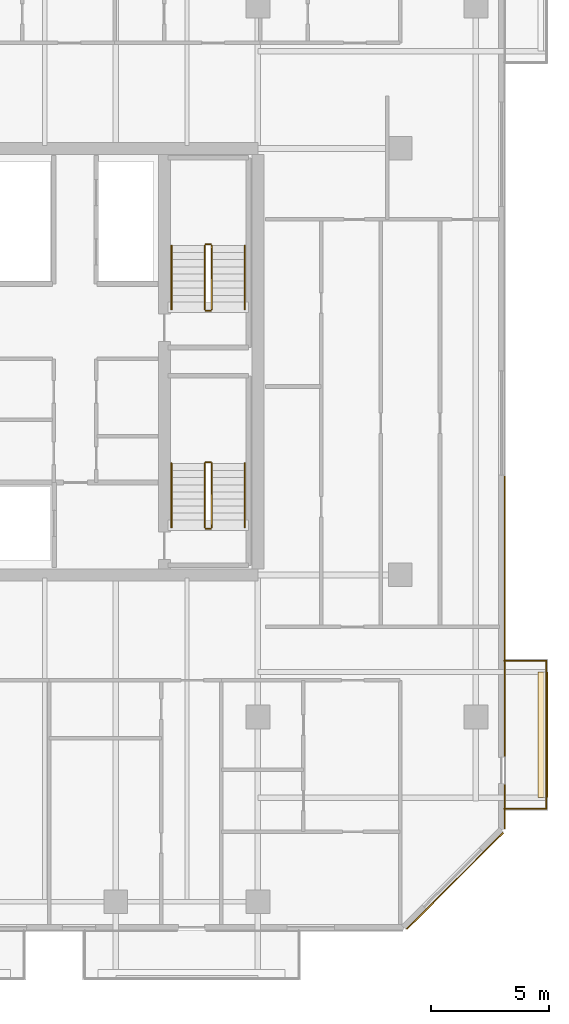
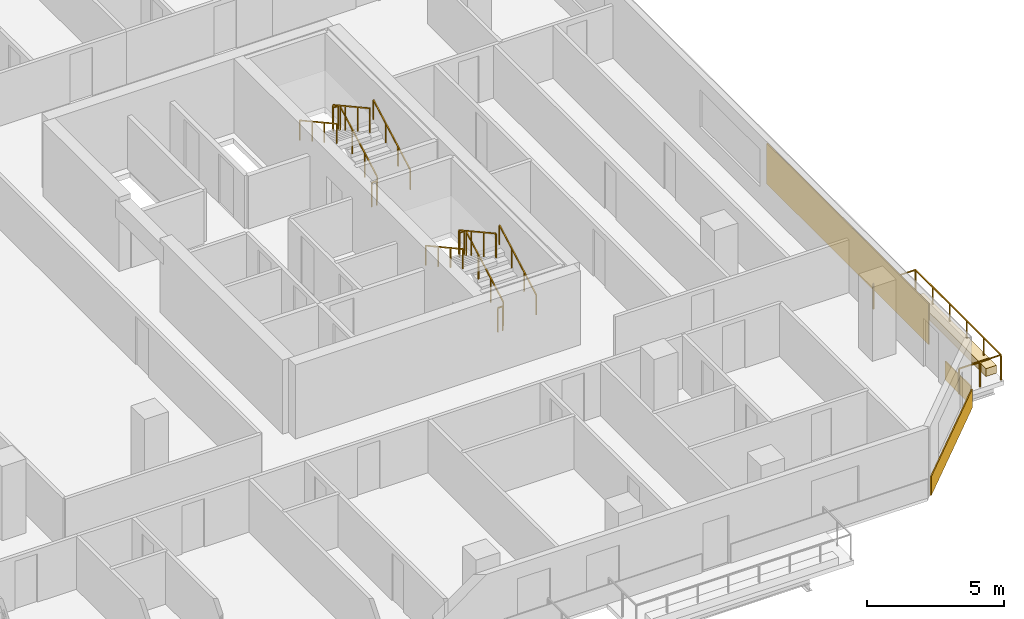
# One storey, part 22 of 23: 13 railings, 4 coverings.
"""IFC4 building model written with IfcOpenShell, lengths in metres."""

from ifc_helpers import new_model, si_unit, direction, frame, origin, origin_2d, place, context, subcontext, project, spatial, polyline, rectangle, outline, extrude, material, layer, layer_set, type_object, element, save


model = new_model("IFC4")

# Units and contexts
model_context = context("Model", 3, precision=1e-05, world=origin(), true_north=direction((0.0, 1.0)))
body_context = subcontext(model_context, "Body", "Model", "MODEL_VIEW")
ifc_project = project(units=[si_unit("LENGTHUNIT", "METRE"), si_unit("AREAUNIT", "SQUARE_METRE"), si_unit("VOLUMEUNIT", "CUBIC_METRE"), si_unit("PLANEANGLEUNIT", "RADIAN"), si_unit("MASSUNIT", "GRAM", prefix="KILO")], contexts=[model_context])

# Site, building, storey
site_placement = place(None, origin())
site = spatial("IfcSite", under=ifc_project, at=site_placement, CompositionType="ELEMENT")
building_placement = place(site_placement, origin())
building = spatial("IfcBuilding", under=site, at=building_placement, Name="Tanjung Sevakor Pilgrim Tower", CompositionType="ELEMENT")
storey_placement = place(building_placement, frame((0.0, 0.0, 101.969970703125)))
storey = spatial("IfcBuildingStorey", under=building, at=storey_placement, Name="L28", CompositionType="ELEMENT", Elevation=101.969970703125)

# Coverings
ifc_material_1 = material(Name="Reconstructed Limestone Cladding", Category="masonry")
ifc_layer_1 = layer(ifc_material_1, 0.044921875)
ifc_layer_set_1 = layer_set([ifc_layer_1], Name="COV-CLAD-LIMESTONE")
covering_type_1 = type_object("IfcCoveringType", Name="COV-CLAD-LIMESTONE", PredefinedType="CLADDING", material=ifc_layer_set_1)
covering_1_placement = place(storey_placement, frame((98.31591796875, 11.68408203125, 0.009765625), z_axis=(0.0, 0.0, 1.0), x_axis=(0.707106781187, 0.707106781187, 0.0)))
element("IfcCovering", 1, at=covering_1_placement, inside=storey, type_object=covering_type_1, Name="L28 Warm Limestone Sill Spandrel EW-CHM-L28-MAIN-5-1", PredefinedType="CLADDING", context=body_context, shape_type="SweptSolid", body=[
    extrude(rectangle(XDim=5.756103515625, YDim=0.044921875, at=origin_2d()), origin(), (0.0, 0.0, 1.0), 0.840087890625),
])
covering_2_placement = place(storey_placement, frame((100.422607421875, 14.81591796875, 0.009765625), z_axis=(0.0, 0.0, 1.0), x_axis=(0.0, 1.0, 0.0)))
element("IfcCovering", 2, at=covering_2_placement, inside=storey, type_object=covering_type_1, Name="L28 Warm Limestone Sill Spandrel EW-L28-MAIN-7-1", PredefinedType="CLADDING", context=body_context, shape_type="SweptSolid", body=[
    extrude(rectangle(XDim=1.84814453125, YDim=0.044921875, at=origin_2d()), origin(), (0.0, 0.0, 1.0), 0.840087890625),
])
covering_3_placement = place(storey_placement, frame((100.422607421875, 22.85498046875, 0.85009765625), z_axis=(0.0, 0.0, 1.0), x_axis=(0.0, 1.0, 0.0)))
element("IfcCovering", 3, at=covering_3_placement, inside=storey, type_object=covering_type_1, Name="L28 Warm Limestone Pier Panel EW-L28-MAIN-7-1", PredefinedType="CLADDING", context=body_context, shape_type="SweptSolid", body=[
    extrude(rectangle(XDim=11.81005859375, YDim=0.044921875, at=origin_2d()), origin(), (0.0, 0.0, 1.0), 1.81005859375),
])
ifc_material_2 = material(Name="Vegetated Modular Planter Assembly", Category="organic")
ifc_layer_2 = layer(ifc_material_2, 0.35009765625)
ifc_layer_set_2 = layer_set([ifc_layer_2], Name="COV-GRN-TROUGH")
covering_type_2 = type_object("IfcCoveringType", Name="COV-GRN-TROUGH", PredefinedType="CLADDING", material=ifc_layer_set_2)
covering_4_placement = place(storey_placement, origin())
element("IfcCovering", 4, at=covering_4_placement, inside=storey, type_object=covering_type_2, Name="L28 Planted Landscape Hedge Trough BGRN-L28-MAIN-E1", PredefinedType="CLADDING", context=body_context, shape_type="SweptSolid", body=[
    extrude(outline(polyline([(102.25, 15.199951171875), (102.25, 20.5), (101.81005859375, 20.5), (101.81005859375, 15.199951171875), (102.25, 15.199951171875)])), origin(), (0.0, 0.0, 1.0), 0.35009765625),
])

# Railings
ifc_material_3 = material(Name="Laminated Glass and Aluminium", Category="aluminium")
railing_type_1 = type_object("IfcRailingType", Name="RL-BAL-BALUST", PredefinedType="BALUSTRADE", material=ifc_material_3)
railing_1_placement = place(storey_placement, frame((100.39990234375, 14.72998046875, 0.0)))
element("IfcRailing", 5, at=railing_1_placement, inside=storey, type_object=railing_type_1, Name="L28 Loggia Balustrade MAIN-E1", PredefinedType="BALUSTRADE", context=body_context, shape_type="SweptSolid", body=[
    extrude(rectangle(XDim=0.0479, YDim=0.0479), frame((0.0, 0.0, 1.1259765625), z_axis=(1.0, 0.0, 0.0), x_axis=(0.0, 1.0, 0.0)), (0.0, 0.0, 1.0), 1.77001953125),
    extrude(rectangle(XDim=0.0479, YDim=0.0479), frame((1.77001953125, 0.0, 1.1259765625), z_axis=(0.0, 1.0, 0.0), x_axis=(-1.0, 0.0, 0.0)), (0.0, 0.0, 1.0), 6.239990234375),
    extrude(rectangle(XDim=0.0479, YDim=0.0479), frame((1.77001953125, 6.239990234375, 1.1259765625), z_axis=(-1.0, 0.0, 0.0), x_axis=(0.0, -1.0, 0.0)), (0.0, 0.0, 1.0), 1.77001953125),
    extrude(rectangle(XDim=0.042, YDim=0.042), origin(), (0.0, 0.0, 1.0), 1.101806640625),
    extrude(rectangle(XDim=0.042, YDim=0.042), frame((0.885009765625, 0.0, 0.0)), (0.0, 0.0, 1.0), 1.101806640625),
    extrude(rectangle(XDim=0.042, YDim=0.042), frame((1.77001953125, 0.0, 0.0)), (0.0, 0.0, 1.0), 1.101806640625),
    extrude(rectangle(XDim=0.042, YDim=0.042), frame((1.77001953125, 1.248046875, 0.0)), (0.0, 0.0, 1.0), 1.101806640625),
    extrude(rectangle(XDim=0.042, YDim=0.042), frame((1.77001953125, 2.49609375, 0.0)), (0.0, 0.0, 1.0), 1.101806640625),
    extrude(rectangle(XDim=0.042, YDim=0.042), frame((1.77001953125, 3.743896484375, 0.0)), (0.0, 0.0, 1.0), 1.101806640625),
    extrude(rectangle(XDim=0.042, YDim=0.042), frame((1.77001953125, 4.991943359375, 0.0)), (0.0, 0.0, 1.0), 1.101806640625),
    extrude(rectangle(XDim=0.042, YDim=0.042), frame((1.77001953125, 6.239990234375, 0.0)), (0.0, 0.0, 1.0), 1.101806640625),
    extrude(rectangle(XDim=0.042, YDim=0.042), frame((0.885009765625, 6.239990234375, 0.0)), (0.0, 0.0, 1.0), 1.101806640625),
    extrude(rectangle(XDim=0.042, YDim=0.042), frame((0.0, 6.239990234375, 0.0)), (0.0, 0.0, 1.0), 1.101806640625),
])
ifc_material_4 = material(Name="Steel S355J2", Category="steel")
railing_type_2 = type_object("IfcRailingType", Name="RL-STAIR-GUARD", PredefinedType="GUARDRAIL", material=ifc_material_4)
railing_2_placement = place(storey_placement, frame((88.050048828125, 26.60009765625, 0.1650390625)))
element("IfcRailing", 6, at=railing_2_placement, inside=storey, type_object=railing_type_2, Name="L28 TS-E1 stair guard 1", PredefinedType="GUARDRAIL", context=body_context, shape_type="SweptSolid", body=[
    extrude(rectangle(XDim=0.0479, YDim=0.0479), frame((0.0, 0.0, 1.076171875), z_axis=(0.0, 0.876197507361, 0.481952205197), x_axis=(-1.0, 0.0, 0.0)), (0.0, 0.0, 1.0), 3.08154296875),
    extrude(rectangle(XDim=0.042, YDim=0.042), origin(), (0.0, 0.0, 1.0), 1.052001953125),
    extrude(rectangle(XDim=0.042, YDim=0.042), frame((0.0, 0.89990234375, 0.4951171875)), (0.0, 0.0, 1.0), 1.052001953125),
    extrude(rectangle(XDim=0.042, YDim=0.042), frame((0.0, 1.800048828125, 0.989990234375)), (0.0, 0.0, 1.0), 1.052001953125),
    extrude(rectangle(XDim=0.042, YDim=0.042), frame((0.0, 2.699951171875, 1.485107421875)), (0.0, 0.0, 1.0), 1.052001953125),
])
railing_3_placement = place(storey_placement, frame((88.0, 29.35009765625, 1.650146484375)))
element("IfcRailing", 7, at=railing_3_placement, inside=storey, type_object=railing_type_2, Name="L28 TS-E1 stair guard 2", PredefinedType="GUARDRAIL", context=body_context, shape_type="SweptSolid", body=[
    extrude(rectangle(XDim=0.0479, YDim=0.0479), frame((0.0, 0.0, 1.076171875), z_axis=(-1.0, 0.0, 0.0), x_axis=(0.0, -1.0, 0.0)), (0.0, 0.0, 1.0), 0.199951171875),
    extrude(rectangle(XDim=0.042, YDim=0.042), origin(), (0.0, 0.0, 1.0), 1.052001953125),
    extrude(rectangle(XDim=0.042, YDim=0.042), frame((-0.199951171875, 0.0, 0.0)), (0.0, 0.0, 1.0), 1.052001953125),
])
railing_4_placement = place(storey_placement, frame((87.75, 29.300048828125, 1.81494140625)))
element("IfcRailing", 8, at=railing_4_placement, inside=storey, type_object=railing_type_2, Name="L28 TS-E1 stair guard 3", PredefinedType="GUARDRAIL", context=body_context, shape_type="SweptSolid", body=[
    extrude(rectangle(XDim=0.0479, YDim=0.0479), frame((0.0, 0.0, 1.076171875), z_axis=(0.0, -0.876197507361, 0.481952205197), x_axis=(1.0, 0.0, 0.0)), (0.0, 0.0, 1.0), 3.08154296875),
    extrude(rectangle(XDim=0.042, YDim=0.042), origin(), (0.0, 0.0, 1.0), 1.052001953125),
    extrude(rectangle(XDim=0.042, YDim=0.042), frame((0.0, -0.89990234375, 0.4951171875)), (0.0, 0.0, 1.0), 1.052001953125),
    extrude(rectangle(XDim=0.042, YDim=0.042), frame((0.0, -1.800048828125, 0.989990234375)), (0.0, 0.0, 1.0), 1.052001953125),
    extrude(rectangle(XDim=0.042, YDim=0.042), frame((0.0, -2.699951171875, 1.485107421875)), (0.0, 0.0, 1.0), 1.052001953125),
])
railing_5_placement = place(storey_placement, frame((88.0, 26.550048828125, 0.0)))
element("IfcRailing", 9, at=railing_5_placement, inside=storey, type_object=railing_type_2, Name="L28 TS-E1 stair guard 4", PredefinedType="GUARDRAIL", context=body_context, shape_type="SweptSolid", body=[
    extrude(rectangle(XDim=0.0479, YDim=0.0479), frame((0.0, 0.0, 1.076171875), z_axis=(-1.0, 0.0, 0.0), x_axis=(0.0, -1.0, 0.0)), (0.0, 0.0, 1.0), 0.199951171875),
    extrude(rectangle(XDim=0.042, YDim=0.042), origin(), (0.0, 0.0, 1.0), 1.052001953125),
    extrude(rectangle(XDim=0.042, YDim=0.042), frame((-0.199951171875, 0.0, 0.0)), (0.0, 0.0, 1.0), 1.052001953125),
])
railing_6_placement = place(storey_placement, frame((88.050048828125, 35.800048828125, 0.1650390625)))
element("IfcRailing", 10, at=railing_6_placement, inside=storey, type_object=railing_type_2, Name="L28 TS-E2 stair guard 1", PredefinedType="GUARDRAIL", context=body_context, shape_type="SweptSolid", body=[
    extrude(rectangle(XDim=0.0479, YDim=0.0479), frame((0.0, 0.0, 1.076171875), z_axis=(0.0, 0.876197507361, 0.481952205197), x_axis=(-1.0, 0.0, 0.0)), (0.0, 0.0, 1.0), 3.08154296875),
    extrude(rectangle(XDim=0.042, YDim=0.042), origin(), (0.0, 0.0, 1.0), 1.052001953125),
    extrude(rectangle(XDim=0.042, YDim=0.042), frame((0.0, 0.89990234375, 0.4951171875)), (0.0, 0.0, 1.0), 1.052001953125),
    extrude(rectangle(XDim=0.042, YDim=0.042), frame((0.0, 1.800048828125, 0.989990234375)), (0.0, 0.0, 1.0), 1.052001953125),
    extrude(rectangle(XDim=0.042, YDim=0.042), frame((0.0, 2.699951171875, 1.485107421875)), (0.0, 0.0, 1.0), 1.052001953125),
])
railing_7_placement = place(storey_placement, frame((88.0, 38.550048828125, 1.650146484375)))
element("IfcRailing", 11, at=railing_7_placement, inside=storey, type_object=railing_type_2, Name="L28 TS-E2 stair guard 2", PredefinedType="GUARDRAIL", context=body_context, shape_type="SweptSolid", body=[
    extrude(rectangle(XDim=0.0479, YDim=0.0479), frame((0.0, 0.0, 1.076171875), z_axis=(-1.0, 0.0, 0.0), x_axis=(0.0, -1.0, 0.0)), (0.0, 0.0, 1.0), 0.199951171875),
    extrude(rectangle(XDim=0.042, YDim=0.042), origin(), (0.0, 0.0, 1.0), 1.052001953125),
    extrude(rectangle(XDim=0.042, YDim=0.042), frame((-0.199951171875, 0.0, 0.0)), (0.0, 0.0, 1.0), 1.052001953125),
])
railing_8_placement = place(storey_placement, frame((87.75, 38.5, 1.81494140625)))
element("IfcRailing", 12, at=railing_8_placement, inside=storey, type_object=railing_type_2, Name="L28 TS-E2 stair guard 3", PredefinedType="GUARDRAIL", context=body_context, shape_type="SweptSolid", body=[
    extrude(rectangle(XDim=0.0479, YDim=0.0479), frame((0.0, 0.0, 1.076171875), z_axis=(0.0, -0.876197507361, 0.481952205197), x_axis=(1.0, 0.0, 0.0)), (0.0, 0.0, 1.0), 3.08154296875),
    extrude(rectangle(XDim=0.042, YDim=0.042), origin(), (0.0, 0.0, 1.0), 1.052001953125),
    extrude(rectangle(XDim=0.042, YDim=0.042), frame((0.0, -0.89990234375, 0.4951171875)), (0.0, 0.0, 1.0), 1.052001953125),
    extrude(rectangle(XDim=0.042, YDim=0.042), frame((0.0, -1.800048828125, 0.989990234375)), (0.0, 0.0, 1.0), 1.052001953125),
    extrude(rectangle(XDim=0.042, YDim=0.042), frame((0.0, -2.699951171875, 1.485107421875)), (0.0, 0.0, 1.0), 1.052001953125),
])
railing_9_placement = place(storey_placement, frame((88.0, 35.75, 0.0)))
element("IfcRailing", 13, at=railing_9_placement, inside=storey, type_object=railing_type_2, Name="L28 TS-E2 stair guard 4", PredefinedType="GUARDRAIL", context=body_context, shape_type="SweptSolid", body=[
    extrude(rectangle(XDim=0.0479, YDim=0.0479), frame((0.0, 0.0, 1.076171875), z_axis=(-1.0, 0.0, 0.0), x_axis=(0.0, -1.0, 0.0)), (0.0, 0.0, 1.0), 0.199951171875),
    extrude(rectangle(XDim=0.042, YDim=0.042), origin(), (0.0, 0.0, 1.0), 1.052001953125),
    extrude(rectangle(XDim=0.042, YDim=0.042), frame((-0.199951171875, 0.0, 0.0)), (0.0, 0.0, 1.0), 1.052001953125),
])
ifc_material_5 = material(Name="Steel S355J2", Category="steel")
railing_type_3 = type_object("IfcRailingType", Name="RL-STAIR-HAND", PredefinedType="HANDRAIL", material=ifc_material_5)
railing_10_placement = place(storey_placement, frame((89.449951171875, 26.60009765625, 0.1650390625)))
element("IfcRailing", 14, at=railing_10_placement, inside=storey, type_object=railing_type_3, Name="L28 TS-E1 stair handrail 1", PredefinedType="HANDRAIL", context=body_context, shape_type="SweptSolid", body=[
    extrude(rectangle(XDim=0.0479, YDim=0.0479), frame((0.0, 0.0, 0.8759765625), z_axis=(0.0, 0.876197507361, 0.481952205197), x_axis=(-1.0, 0.0, 0.0)), (0.0, 0.0, 1.0), 3.08154296875),
    extrude(rectangle(XDim=0.042, YDim=0.042), origin(), (0.0, 0.0, 1.0), 0.851806640625),
    extrude(rectangle(XDim=0.042, YDim=0.042), frame((0.0, 0.89990234375, 0.4951171875)), (0.0, 0.0, 1.0), 0.851806640625),
    extrude(rectangle(XDim=0.042, YDim=0.042), frame((0.0, 1.800048828125, 0.989990234375)), (0.0, 0.0, 1.0), 0.851806640625),
    extrude(rectangle(XDim=0.042, YDim=0.042), frame((0.0, 2.699951171875, 1.485107421875)), (0.0, 0.0, 1.0), 0.851806640625),
])
railing_11_placement = place(storey_placement, frame((86.35009765625, 29.300048828125, 1.81494140625)))
element("IfcRailing", 15, at=railing_11_placement, inside=storey, type_object=railing_type_3, Name="L28 TS-E1 stair handrail 2", PredefinedType="HANDRAIL", context=body_context, shape_type="SweptSolid", body=[
    extrude(rectangle(XDim=0.0479, YDim=0.0479), frame((0.0, 0.0, 0.8759765625), z_axis=(0.0, -0.876197507361, 0.481952205197), x_axis=(1.0, 0.0, 0.0)), (0.0, 0.0, 1.0), 3.08154296875),
    extrude(rectangle(XDim=0.042, YDim=0.042), origin(), (0.0, 0.0, 1.0), 0.851806640625),
    extrude(rectangle(XDim=0.042, YDim=0.042), frame((0.0, -0.89990234375, 0.4951171875)), (0.0, 0.0, 1.0), 0.851806640625),
    extrude(rectangle(XDim=0.042, YDim=0.042), frame((0.0, -1.800048828125, 0.989990234375)), (0.0, 0.0, 1.0), 0.851806640625),
    extrude(rectangle(XDim=0.042, YDim=0.042), frame((0.0, -2.699951171875, 1.485107421875)), (0.0, 0.0, 1.0), 0.851806640625),
])
railing_12_placement = place(storey_placement, frame((89.449951171875, 35.800048828125, 0.1650390625)))
element("IfcRailing", 16, at=railing_12_placement, inside=storey, type_object=railing_type_3, Name="L28 TS-E2 stair handrail 1", PredefinedType="HANDRAIL", context=body_context, shape_type="SweptSolid", body=[
    extrude(rectangle(XDim=0.0479, YDim=0.0479), frame((0.0, 0.0, 0.8759765625), z_axis=(0.0, 0.876197507361, 0.481952205197), x_axis=(-1.0, 0.0, 0.0)), (0.0, 0.0, 1.0), 3.08154296875),
    extrude(rectangle(XDim=0.042, YDim=0.042), origin(), (0.0, 0.0, 1.0), 0.851806640625),
    extrude(rectangle(XDim=0.042, YDim=0.042), frame((0.0, 0.89990234375, 0.4951171875)), (0.0, 0.0, 1.0), 0.851806640625),
    extrude(rectangle(XDim=0.042, YDim=0.042), frame((0.0, 1.800048828125, 0.989990234375)), (0.0, 0.0, 1.0), 0.851806640625),
    extrude(rectangle(XDim=0.042, YDim=0.042), frame((0.0, 2.699951171875, 1.485107421875)), (0.0, 0.0, 1.0), 0.851806640625),
])
railing_13_placement = place(storey_placement, frame((86.35009765625, 38.5, 1.81494140625)))
element("IfcRailing", 17, at=railing_13_placement, inside=storey, type_object=railing_type_3, Name="L28 TS-E2 stair handrail 2", PredefinedType="HANDRAIL", context=body_context, shape_type="SweptSolid", body=[
    extrude(rectangle(XDim=0.0479, YDim=0.0479), frame((0.0, 0.0, 0.8759765625), z_axis=(0.0, -0.876197507361, 0.481952205197), x_axis=(1.0, 0.0, 0.0)), (0.0, 0.0, 1.0), 3.08154296875),
    extrude(rectangle(XDim=0.042, YDim=0.042), origin(), (0.0, 0.0, 1.0), 0.851806640625),
    extrude(rectangle(XDim=0.042, YDim=0.042), frame((0.0, -0.89990234375, 0.4951171875)), (0.0, 0.0, 1.0), 0.851806640625),
    extrude(rectangle(XDim=0.042, YDim=0.042), frame((0.0, -1.800048828125, 0.989990234375)), (0.0, 0.0, 1.0), 0.851806640625),
    extrude(rectangle(XDim=0.042, YDim=0.042), frame((0.0, -2.699951171875, 1.485107421875)), (0.0, 0.0, 1.0), 0.851806640625),
])

save(model, "model.ifc")
